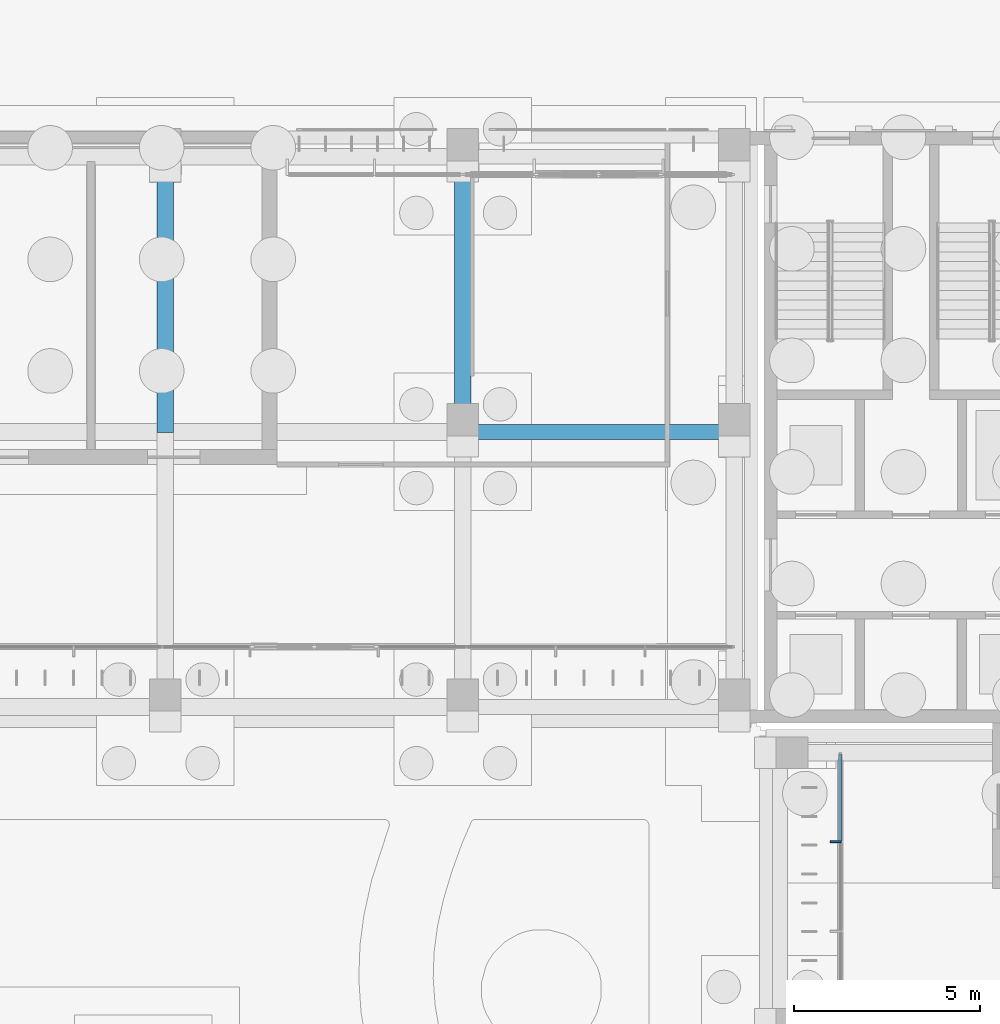
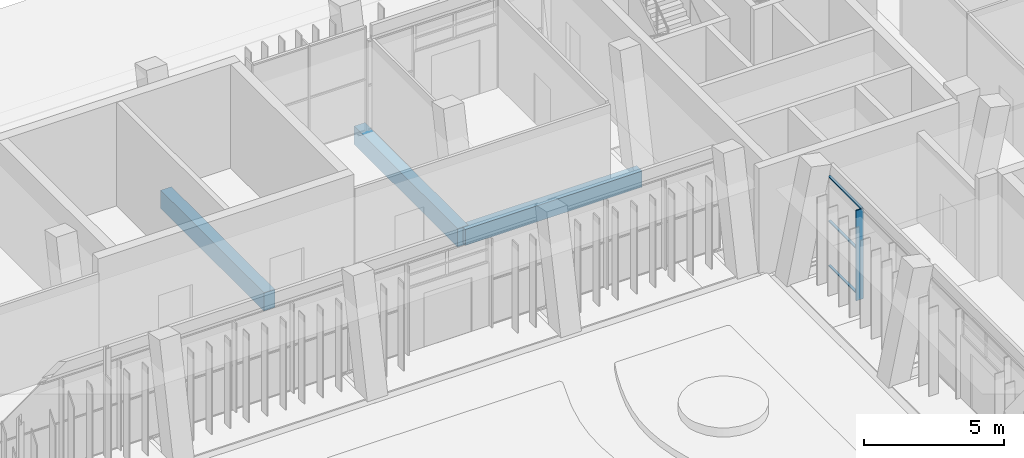
# One storey, part 79 of 144: 4 members, 3 beams, 1 element without a shape of its own.
"""IFC4 building model written with IfcOpenShell, lengths in metres."""

import ifcopenshell
import ifcopenshell.guid

model = None  # the IFC model being written
_history = None  # IfcOwnerHistory: only IFC2X3 demands one
_inside = {}  # id of a spatial element -> (the spatial element, [elements in it])
_under = {}  # id of a project, library or spatial element -> (it, [spatial elements below it])
_declared = {}  # id of a project -> (the project, [libraries it declares])
_typed = {}  # id of a type object -> (the type object, [elements of that type])
_made_of = {}  # id of a material, layer set ... -> (it, [elements and type objects made of it])


def new_model(schema):
    """Start an empty IFC model of exactly this schema.

    Asked for "IFC4X3", IfcOpenShell would pick the latest addendum, in which some entities
    have other attributes; the version numbers below select the first issue.
    IFC2X3 requires an IfcOwnerHistory on every rooted entity: one is made here for all.
    """
    global model, _history
    if schema == "IFC4X3":
        model = ifcopenshell.file(schema_version=(4, 3, 0, 0))
    else:
        model = ifcopenshell.file(schema=schema)
    _inside.clear()
    _under.clear()
    _declared.clear()
    _typed.clear()
    _made_of.clear()
    _history = None
    if model.schema == "IFC2X3":
        org = make("IfcOrganization", Name="unknown")
        user = make(
            "IfcPersonAndOrganization",
            ThePerson=make("IfcPerson", FamilyName="unknown"),
            TheOrganization=org,
        )
        app = make(
            "IfcApplication",
            ApplicationDeveloper=org,
            Version="unknown",
            ApplicationFullName="unknown",
            ApplicationIdentifier="unknown",
        )
        _history = make(
            "IfcOwnerHistory",
            OwningUser=user,
            OwningApplication=app,
            ChangeAction="ADDED",
            CreationDate=0,
        )
    return model


def make(cls, **values):
    """One entity of the class cls with the attributes given. An attribute that is None is left unset."""
    return model.create_entity(
        cls, **{name: value for name, value in values.items() if value is not None}
    )


def rooted(cls, **values):
    """An entity with a GlobalId (a new one), such as an element, a storey or a relation."""
    return make(cls, GlobalId=ifcopenshell.guid.new(), OwnerHistory=_history, **values)


def si_unit(unit_type, name, prefix=None):
    """IfcSIUnit, for example si_unit("LENGTHUNIT", "METRE", prefix="MILLI")."""
    return make("IfcSIUnit", UnitType=unit_type, Prefix=prefix, Name=name)


def assignment(units):
    """IfcUnitAssignment: the units of a project."""
    return None if units is None else make("IfcUnitAssignment", Units=units)


def point(xyz):
    """IfcCartesianPoint."""
    return None if xyz is None else make("IfcCartesianPoint", Coordinates=xyz)


def direction(xyz):
    """IfcDirection."""
    return None if xyz is None else make("IfcDirection", DirectionRatios=xyz)


def frame(location, z_axis=None, x_axis=None):
    """IfcAxis2Placement3D, a coordinate frame: its origin and axes. An axis left out is left unset."""
    return make(
        "IfcAxis2Placement3D",
        Location=point(location),
        Axis=direction(z_axis),
        RefDirection=direction(x_axis),
    )


def frame_2d(location, x_axis=None):
    """IfcAxis2Placement2D, a coordinate frame in the plane: its origin and x axis."""
    return make(
        "IfcAxis2Placement2D", Location=point(location), RefDirection=direction(x_axis)
    )


def origin():
    """The frame at (0, 0, 0) with its axes left unset."""
    return frame((0.0, 0.0, 0.0))


def origin_2d():
    """The frame at (0, 0) in the plane with its x axis left unset."""
    return frame_2d((0.0, 0.0))


def place(relative_to, where):
    """IfcLocalPlacement: puts the frame where relative to a parent placement (None: the world)."""
    return make(
        "IfcLocalPlacement", PlacementRelTo=relative_to, RelativePlacement=where
    )


def context(
    kind, dimensions, precision=None, world=None, true_north=None, identifier=None
):
    """IfcGeometricRepresentationContext, for example the 3D "Model" context."""
    return make(
        "IfcGeometricRepresentationContext",
        ContextIdentifier=identifier,
        ContextType=kind,
        CoordinateSpaceDimension=dimensions,
        Precision=precision,
        WorldCoordinateSystem=world,
        TrueNorth=true_north,
    )


def subcontext(parent, identifier, kind, view, scale=None):
    """IfcGeometricRepresentationSubContext, for example "Body" below "Model"."""
    return make(
        "IfcGeometricRepresentationSubContext",
        ContextIdentifier=identifier,
        ContextType=kind,
        ParentContext=parent,
        TargetScale=scale,
        TargetView=view,
    )


def project(units=None, contexts=None):
    """IfcProject with its units and contexts."""
    return rooted(
        "IfcProject",
        Name="project",
        RepresentationContexts=contexts,
        UnitsInContext=assignment(units),
    )


def spatial(cls, under=None, at=None, **own):
    """A site, building, storey or space (cls), placed at a placement, below another one or the project."""
    s = rooted(cls, ObjectPlacement=at, **own)
    if under is not None:
        _under.setdefault(under.id(), (under, []))[1].append(s)
    return s


def profile(cls, at=None, kind="AREA", **sizes):
    """A parametric profile (cls). Its sizes go by their IFC names, for example OverallWidth=200.0."""
    return make(cls, ProfileType=kind, Position=at, **sizes)


def rectangle(**sizes):
    """IfcRectangleProfileDef."""
    return profile("IfcRectangleProfileDef", **sizes)


def extrude(swept, where, along, depth):
    """IfcExtrudedAreaSolid: the profile swept, set in the frame where, extruded along a direction by depth."""
    return make(
        "IfcExtrudedAreaSolid",
        SweptArea=swept,
        Position=where,
        ExtrudedDirection=direction(along),
        Depth=depth,
    )


def shape(context_of_items, identifier, shape_type, items):
    """IfcShapeRepresentation: the items that make up one representation, for example the "Body"."""
    return make(
        "IfcShapeRepresentation",
        ContextOfItems=context_of_items,
        RepresentationIdentifier=identifier,
        RepresentationType=shape_type,
        Items=items,
    )


def material(Name=None, Category=None):
    """IfcMaterial."""
    return make("IfcMaterial", Name=Name, Category=Category)


def material_profile(
    of_material, cross_section, Name=None, Category=None, Priority=None
):
    """IfcMaterialProfile: a cross section and its material."""
    return make(
        "IfcMaterialProfile",
        Name=Name,
        Material=of_material,
        Profile=cross_section,
        Priority=Priority,
        Category=Category,
    )


def profile_set(profiles, Name=None, composite=None):
    """IfcMaterialProfileSet."""
    return make(
        "IfcMaterialProfileSet",
        Name=Name,
        MaterialProfiles=profiles,
        CompositeProfile=composite,
    )


def made_of(thing, what):
    """Note that an element or type object is made of a material, layer set ...; save() writes the relation."""
    if what is not None:
        _made_of.setdefault(what.id(), (what, []))[1].append(thing)
    return thing


def type_object(cls, material=None, **own):
    """A type object (cls), such as IfcWallType, which elements share."""
    return made_of(rooted(cls, **own), material)


def element(
    cls,
    number,
    at=None,
    inside=None,
    cuts=None,
    type_object=None,
    material=None,
    context=None,
    identifier="Body",
    shape_type=None,
    held_by="IfcProductDefinitionShape",
    body=None,
    shapes=None,
    **own,
):
    """One element of the class cls, such as IfcWall. Its Tag is "e" and its number.

    at: its placement. inside: the storey or other place that contains it. cuts: it is an
    opening in that element (IfcRelVoidsElement). A single representation is given by context,
    identifier, shape_type and body (its items); several are given by shapes. held_by: the class
    of the entity that holds the representations. save() writes the other relations.
    """
    e = rooted(cls, Tag="e%d" % number, ObjectPlacement=at, **own)
    if body is not None:
        shapes = [shape(context, identifier, shape_type, body)]
    if shapes is not None:
        e.Representation = make(held_by, Representations=shapes)
    if inside is not None:
        _inside.setdefault(inside.id(), (inside, []))[1].append(e)
    if cuts is not None:
        rooted(
            "IfcRelVoidsElement", RelatingBuildingElement=cuts, RelatedOpeningElement=e
        )
    if type_object is not None:
        _typed.setdefault(type_object.id(), (type_object, []))[1].append(e)
    return made_of(e, material)


def aggregate(whole, parts):
    """IfcRelAggregates: a whole, such as a stair, and the parts it consists of."""
    return rooted("IfcRelAggregates", RelatingObject=whole, RelatedObjects=parts)


def save(model, path):
    """Write the relations noted so far, then the file.

    IfcRelAggregates (storeys below a building ...), IfcRelContainedInSpatialStructure (elements
    in a storey), IfcRelDefinesByType, IfcRelAssociatesMaterial and IfcRelDeclares: one each for
    every whole, place, type object, material and project.
    """
    for whole, parts in _under.values():
        aggregate(whole, parts)
    for where, things in _inside.values():
        rooted(
            "IfcRelContainedInSpatialStructure",
            RelatedElements=things,
            RelatingStructure=where,
        )
    for kind, things in _typed.values():
        rooted("IfcRelDefinesByType", RelatedObjects=things, RelatingType=kind)
    for what, things in _made_of.values():
        rooted("IfcRelAssociatesMaterial", RelatedObjects=things, RelatingMaterial=what)
    for by, libraries in _declared.values():
        rooted("IfcRelDeclares", RelatingContext=by, RelatedDefinitions=libraries)
    model.write(path)


model = new_model("IFC4")

# Units and contexts
model_context = context("Model", 3, precision=1e-05, world=origin(), true_north=direction((0.0, 1.0)))
body_context = subcontext(model_context, "Body", "Model", "MODEL_VIEW")
ifc_project = project(units=[si_unit("LENGTHUNIT", "METRE"), si_unit("AREAUNIT", "SQUARE_METRE"), si_unit("VOLUMEUNIT", "CUBIC_METRE"), si_unit("PLANEANGLEUNIT", "RADIAN"), si_unit("MASSUNIT", "GRAM", prefix="KILO")], contexts=[model_context])

# Site, building, storey
site_placement = place(None, origin())
site = spatial("IfcSite", under=ifc_project, at=site_placement, CompositionType="ELEMENT")
building_placement = place(site_placement, origin())
building = spatial("IfcBuilding", under=site, at=building_placement, Name="Lantern Court Media Centre", CompositionType="ELEMENT")
storey_placement = place(building_placement, origin())
storey = spatial("IfcBuildingStorey", under=building, at=storey_placement, Name="L00", CompositionType="ELEMENT", Elevation=0.0)

# Curtain wall, members
ifc_material_1 = material(Name="Curtain wall bay 2400")
curtain_wall_type = type_object("IfcCurtainWallType", Name="Curtain wall bay 2400", PredefinedType="NOTDEFINED", material=ifc_material_1)
curtain_wall_placement = place(storey_placement, origin())
curtain_wall = element("IfcCurtainWall", 1, at=curtain_wall_placement, inside=storey, type_object=curtain_wall_type, Name="Curtain wall E inner L00", PredefinedType="NOTDEFINED")
ifc_material_2 = material(Name="Anodised aluminium", Category="aluminium")
ifc_material_profile_1 = material_profile(ifc_material_2, rectangle(XDim=0.300048828125, YDim=0.050048828125, at=origin_2d()), Name="AL 50x300")
ifc_profile_set_1 = profile_set([ifc_material_profile_1], Name="Anodised aluminium")
member_type_1 = type_object("IfcMemberType", Name="Curtain wall mullion 50x300", PredefinedType="MULLION", material=ifc_profile_set_1)
member_1_placement = place(storey_placement, frame((82.030029296875, 92.89990234375, 0.0), z_axis=(0.0, 0.0, 1.0), x_axis=(-1.0, 0.0, 0.0)))
member_1 = element("IfcMember", 2, at=member_1_placement, type_object=member_type_1, Name="CW2 mullion 4", PredefinedType="MULLION", context=body_context, shape_type="SweptSolid", body=[
    extrude(rectangle(XDim=0.300048828125, YDim=0.050048828125, at=origin_2d()), origin(), (0.0, 0.0, 1.0), 3.949951171875),
])
ifc_material_profile_2 = material_profile(ifc_material_2, rectangle(XDim=0.10009765625, YDim=0.050048828125, at=origin_2d()), Name="AL 50x100")
ifc_profile_set_2 = profile_set([ifc_material_profile_2], Name="Anodised aluminium")
member_type_2 = type_object("IfcMemberType", Name="Curtain wall transom 100x50", PredefinedType="USERDEFINED", material=ifc_profile_set_2)
member_2_placement = place(storey_placement, frame((82.14990234375, 92.925048828125, 0.02490234375), z_axis=(0.0, 1.0, 0.0), x_axis=(-1.0, 0.0, 0.0)))
member_2 = element("IfcMember", 3, at=member_2_placement, type_object=member_type_2, Name="CW2 transom 4.1", ObjectType="TRANSOM", PredefinedType="USERDEFINED", context=body_context, shape_type="SweptSolid", body=[
    extrude(rectangle(XDim=0.10009765625, YDim=0.050048828125, at=origin_2d()), origin(), (0.0, 0.0, 1.0), 2.324951171875),
])
member_3_placement = place(storey_placement, frame((82.14990234375, 92.925048828125, 1.97509765625), z_axis=(0.0, 1.0, 0.0), x_axis=(-1.0, 0.0, 0.0)))
member_3 = element("IfcMember", 4, at=member_3_placement, type_object=member_type_2, Name="CW2 transom 4.2", ObjectType="TRANSOM", PredefinedType="USERDEFINED", context=body_context, shape_type="SweptSolid", body=[
    extrude(rectangle(XDim=0.10009765625, YDim=0.050048828125, at=origin_2d()), origin(), (0.0, 0.0, 1.0), 2.324951171875),
])
member_4_placement = place(storey_placement, frame((82.14990234375, 92.925048828125, 3.925048828125), z_axis=(0.0, 1.0, 0.0), x_axis=(-1.0, 0.0, 0.0)))
member_4 = element("IfcMember", 5, at=member_4_placement, type_object=member_type_2, Name="CW2 transom 4.3", ObjectType="TRANSOM", PredefinedType="USERDEFINED", context=body_context, shape_type="SweptSolid", body=[
    extrude(rectangle(XDim=0.10009765625, YDim=0.050048828125, at=origin_2d()), origin(), (0.0, 0.0, 1.0), 2.324951171875),
])
aggregate(curtain_wall, [member_1, member_2, member_3, member_4])

# Beams
ifc_material_3 = material(Name="Concrete C35", Category="concrete")
ifc_material_profile_3 = material_profile(ifc_material_3, rectangle(XDim=0.39990234375, YDim=0.699951171875, at=origin_2d()), Name="RC 400x700")
ifc_profile_set_3 = profile_set([ifc_material_profile_3], Name="Concrete C35")
beam_type_1 = type_object("IfcBeamType", Name="RC BEAM 400x700", PredefinedType="BEAM", material=ifc_profile_set_3)
beam_placement = place(storey_placement, frame((72.0, 103.927001953125, -0.35009765625), z_axis=(1.0, 0.0, 0.0), x_axis=(0.0, 1.0, 0.0)))
element("IfcBeam", 6, at=beam_placement, inside=storey, type_object=beam_type_1, Name="LB-N-L00-1-6", PredefinedType="BEAM", context=body_context, shape_type="SweptSolid", body=[
    extrude(rectangle(XDim=0.39990234375, YDim=0.699951171875, at=origin_2d()), origin(), (0.0, 0.0, 1.0), 7.300048828125),
])
ifc_material_profile_4 = material_profile(ifc_material_3, rectangle(XDim=0.449951171875, YDim=0.800048828125, at=origin_2d()), Name="RC 450x800")
ifc_profile_set_4 = profile_set([ifc_material_profile_4], Name="Concrete C35")
beam_type_2 = type_object("IfcBeamType", Name="RC BEAM 450x800", PredefinedType="BEAM", material=ifc_profile_set_4)
for number, where, z_axis, x_axis, name in (
    (7, (64.0, 103.916748046875, -0.39990234375), (0.0, 1.0, 0.0), (-1.0, 0.0, 0.0), "TB-N-L00-5-2"),
    (8, (72.0, 103.916748046875, -0.39990234375), (0.0, 1.0, 0.0), (-1.0, 0.0, 0.0), "TB-N-L00-6-2"),
):
    element("IfcBeam", number, at=place(storey_placement, frame(where, z_axis=z_axis, x_axis=x_axis)), inside=storey, type_object=beam_type_2, Name=name, PredefinedType="BEAM", context=body_context, shape_type="SweptSolid", body=[
        extrude(rectangle(XDim=0.449951171875, YDim=0.800048828125, at=origin_2d()), origin(), (0.0, 0.0, 1.0), 7.39990234375),
    ])

save(model, "model.ifc")
